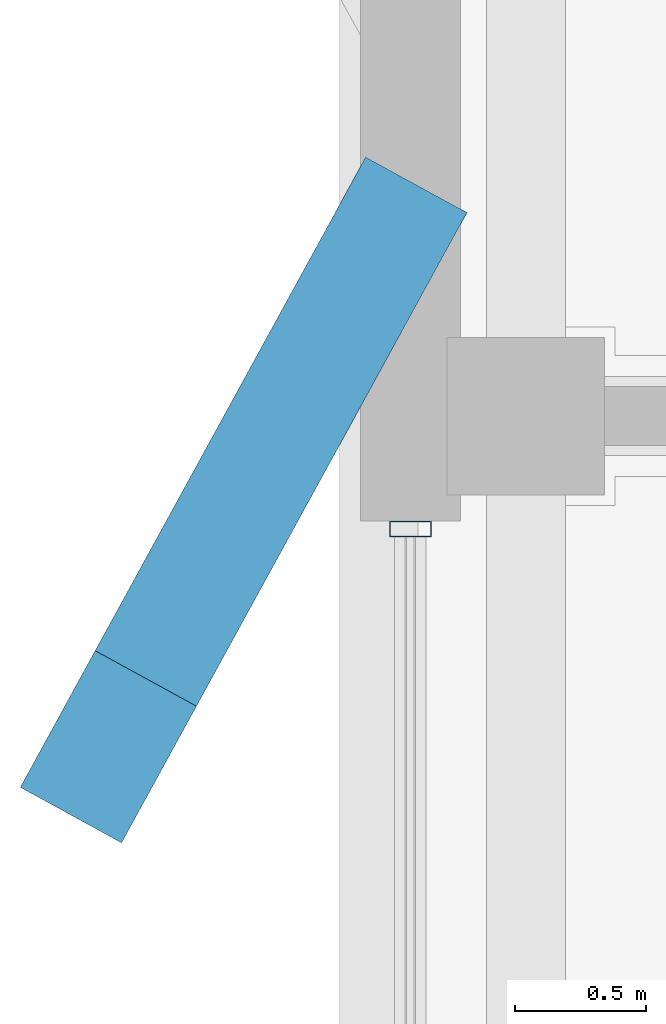
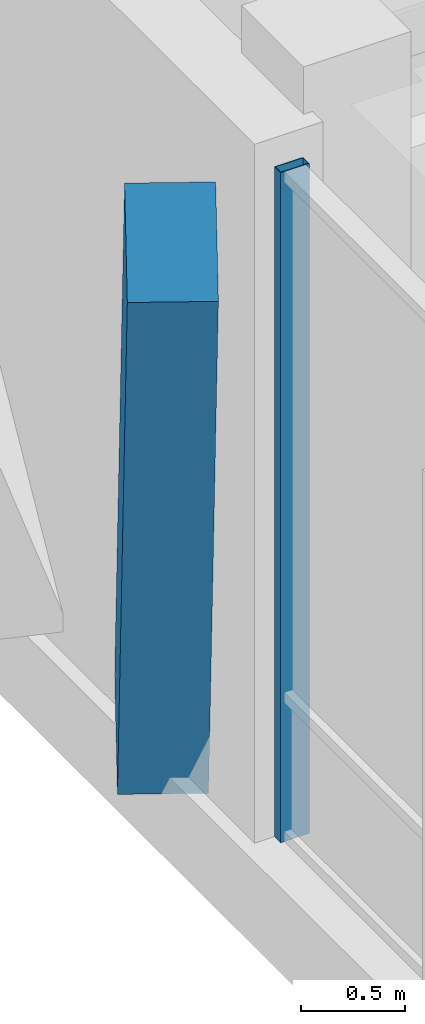
# One storey, part 20 of 233: 2 members, 1 element without a shape of its own.
"""IFC4 building model written with IfcOpenShell, lengths in metres."""

from ifc_helpers import new_model, si_unit, direction, frame, origin, origin_2d, place, context, subcontext, project, spatial, rectangle, hollow_rectangle, extrude, material, material_profile, profile_set, type_object, element, aggregate, save


model = new_model("IFC4")

# Units and contexts
model_context = context("Model", 3, precision=1e-05, world=origin(), true_north=direction((0.0, 1.0)))
body_context = subcontext(model_context, "Body", "Model", "MODEL_VIEW")
ifc_project = project(units=[si_unit("LENGTHUNIT", "METRE"), si_unit("AREAUNIT", "SQUARE_METRE"), si_unit("VOLUMEUNIT", "CUBIC_METRE"), si_unit("PLANEANGLEUNIT", "RADIAN"), si_unit("MASSUNIT", "GRAM", prefix="KILO")], contexts=[model_context])

# Site, building, storey
site_placement = place(None, origin())
site = spatial("IfcSite", under=ifc_project, at=site_placement, CompositionType="ELEMENT")
building_placement = place(site_placement, origin())
building = spatial("IfcBuilding", under=site, at=building_placement, Name="Zavelmont Quarter", CompositionType="ELEMENT")
storey_placement = place(building_placement, origin())
storey = spatial("IfcBuildingStorey", under=building, at=storey_placement, Name="L00", CompositionType="ELEMENT", Elevation=0.0)

# Curtain wall, member
ifc_material_1 = material(Name="Thermally broken aluminium and double low-E safety glazing", Category="aluminium")
curtain_wall_type = type_object("IfcCurtainWallType", Name="CW-670X395", PredefinedType="NOTDEFINED", material=ifc_material_1)
curtain_wall_placement = place(storey_placement, origin())
curtain_wall = element("IfcCurtainWall", 1, at=curtain_wall_placement, inside=storey, type_object=curtain_wall_type, Name="L00 unitised curtain wall CW-670X395", PredefinedType="NOTDEFINED")
ifc_material_2 = material(Name="Powder-coated aluminium EN AW-6063-T6", Category="aluminium")
ifc_material_profile_1 = material_profile(ifc_material_2, hollow_rectangle(XDim=0.06005859375, YDim=0.159912109375, WallThickness=0.00390625, at=origin_2d()), Name="CWM60X160")
ifc_profile_set_1 = profile_set([ifc_material_profile_1], Name="Powder-coated aluminium EN AW-6063-T6")
member_type_1 = type_object("IfcMemberType", Name="CWM01", PredefinedType="MULLION", material=ifc_profile_set_1)
member_1_placement = place(storey_placement, frame((0.0, 7.570068359375, 0.0), z_axis=(0.0, 0.0, 1.0), x_axis=(0.0, 1.0, 0.0)))
member_1 = element("IfcMember", 2, at=member_1_placement, type_object=member_type_1, Name="CW-670X395 mullion 4", PredefinedType="MULLION", context=body_context, shape_type="SweptSolid", body=[
    extrude(hollow_rectangle(XDim=0.06005859375, YDim=0.159912109375, WallThickness=0.00390625, at=origin_2d()), origin(), (0.0, 0.0, 1.0), 3.949951171875),
])
aggregate(curtain_wall, [member_1])

# Member
ifc_material_3 = material(Name="White architectural precast concrete C40/50", Category="concrete")
ifc_material_profile_2 = material_profile(ifc_material_3, rectangle(XDim=0.43994140625, YDim=0.659912109375, at=origin_2d()), Name="PCR320X480")
ifc_profile_set_2 = profile_set([ifc_material_profile_2], Name="White architectural precast concrete C40/50")
member_type_2 = type_object("IfcMemberType", Name="VR01M", PredefinedType="CHORD", material=ifc_profile_set_2)
member_2_placement = place(storey_placement, frame((-0.1201171875, 8.6201171875, 0.0), z_axis=(-0.210419786884, -0.383973707834, 0.899048221721), x_axis=(0.876953376231, -0.48057546329, 0.0)))
element("IfcMember", 3, at=member_2_placement, inside=storey, type_object=member_type_2, Name="L00 member VR01M 1/B to 1/B", PredefinedType="CHORD", context=body_context, shape_type="SweptSolid", body=[
    extrude(rectangle(XDim=0.43994140625, YDim=0.659912109375, at=origin_2d()), origin(), (0.0, 0.0, 1.0), 4.89404296875),
])

save(model, "model.ifc")
